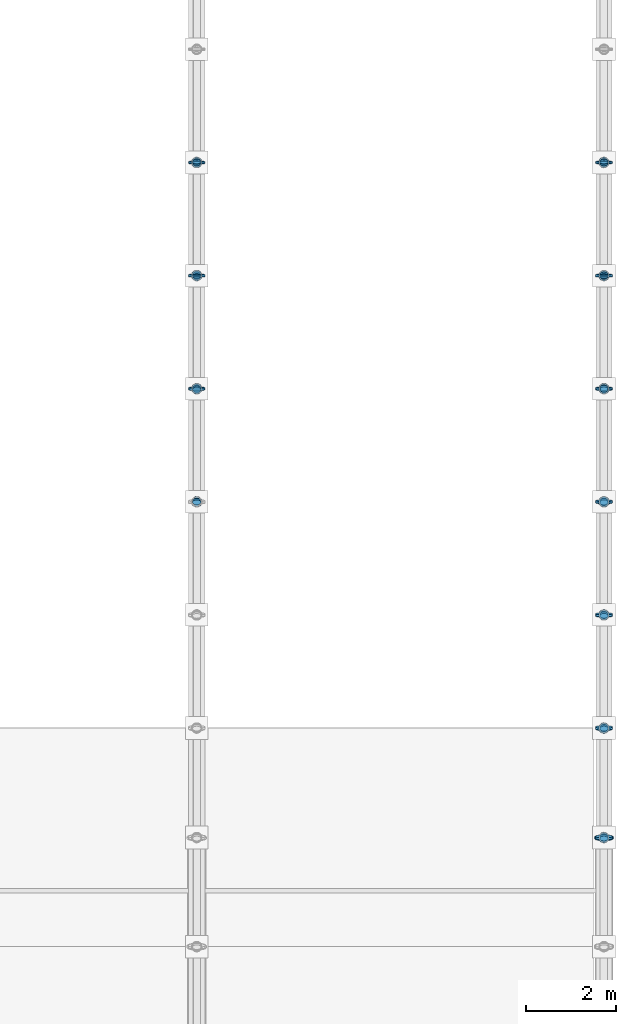
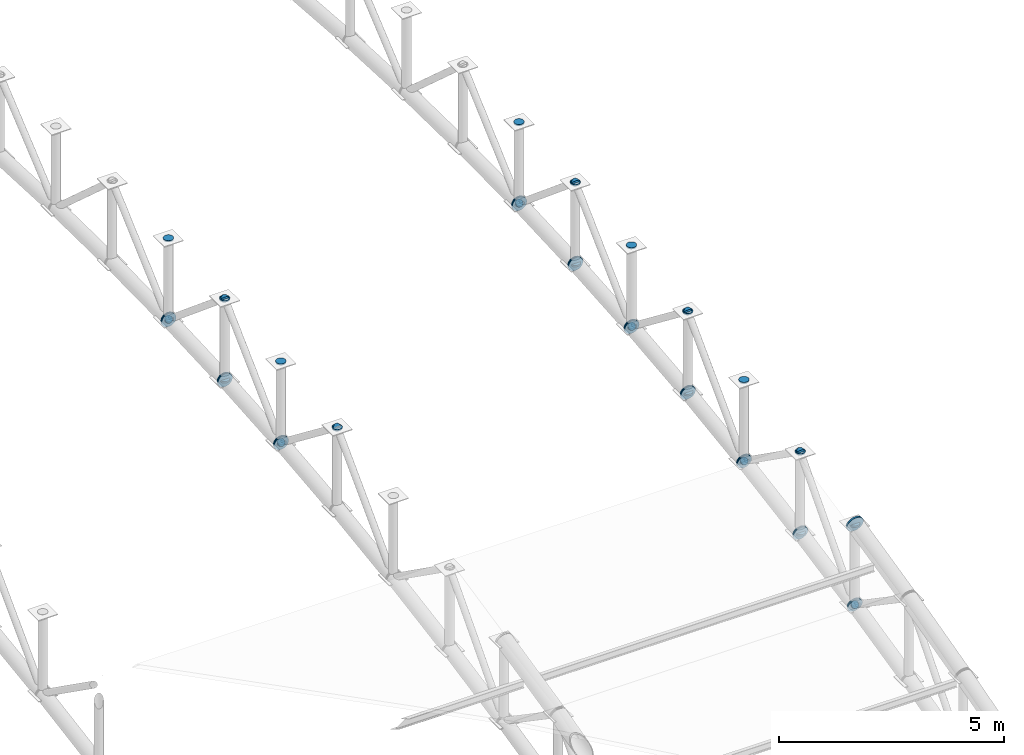
# One storey, part 154 of 195: 63 discrete accessories.
"""IFC4 building model written with IfcOpenShell, lengths in metres."""

from ifc_helpers import new_model, si_unit, direction, frame, origin, origin_2d, place, context, subcontext, project, spatial, circle, extrude, material, element, save


model = new_model("IFC4")

# Units and contexts
model_context = context("Model", 3, precision=1e-05, world=origin(), true_north=direction((0.0, 1.0)))
body_context = subcontext(model_context, "Body", "Model", "MODEL_VIEW")
ifc_project = project(units=[si_unit("LENGTHUNIT", "METRE"), si_unit("AREAUNIT", "SQUARE_METRE"), si_unit("VOLUMEUNIT", "CUBIC_METRE"), si_unit("PLANEANGLEUNIT", "RADIAN"), si_unit("MASSUNIT", "GRAM", prefix="KILO")], contexts=[model_context])

# Site, building, storey
site_placement = place(None, origin())
site = spatial("IfcSite", under=ifc_project, at=site_placement, CompositionType="ELEMENT")
building_placement = place(site_placement, origin())
building = spatial("IfcBuilding", under=site, at=building_placement, Name="Marlcrest Central Station", CompositionType="ELEMENT")
storey_placement = place(building_placement, frame((0.0, 0.0, 9.800048828125)))
storey = spatial("IfcBuildingStorey", under=building, at=storey_placement, Name="L02", CompositionType="ELEMENT", Elevation=9.800048828125)

# Discrete accessories
ifc_material = material(Name="Steel S355", Category="steel")
discrete_accessory_1_placement = place(storey_placement, frame((207.0, 58.47509765625, 4.4482421875), z_axis=(0.0, 0.994155341034, 0.107959056565), x_axis=(-1.0, 0.0, 0.0)))
element("IfcDiscreteAccessory", 1, at=discrete_accessory_1_placement, inside=storey, material=ifc_material, Name="endcap-mem-AC-02-L02-01937-e", ObjectType="END_CAP_PLATE", PredefinedType="BRACKET", context=body_context, shape_type="SweptSolid", body=[
    extrude(circle(Radius=0.185791015625, at=origin_2d()), origin(), (0.0, 0.0, 1.0), 0.0400390625),
])
discrete_accessory_2_placement = place(storey_placement, frame((207.0, 56.0, 6.3544921875), z_axis=(0.0, 0.0, 1.0), x_axis=(1.0, 0.0, 0.0)))
element("IfcDiscreteAccessory", 2, at=discrete_accessory_2_placement, inside=storey, material=ifc_material, Name="endcap-mem-AP-01-L02-01938-e", ObjectType="END_CAP_PLATE", PredefinedType="BRACKET", context=body_context, shape_type="SweptSolid", body=[
    extrude(circle(Radius=0.117431640625, at=origin_2d()), origin(), (0.0, 0.0, 1.0), 0.0400390625),
])
for number, where, z_axis, x_axis, name in (
    (3, (207.0, 55.988037109375, 6.388671875), (0.0, 0.791798282026, -0.610782678684), (-1.0, 0.0, 0.0), "endcap-mem-AD-01-L02-01939-s"),
    (4, (207.0, 58.480224609375, 4.46630859375), (0.0, 0.791798282026, -0.610782678684), (-1.0, 0.0, 0.0), "endcap-mem-AD-01-L02-01939-e"),
):
    element("IfcDiscreteAccessory", number, at=place(storey_placement, frame(where, z_axis=z_axis, x_axis=x_axis)), inside=storey, material=ifc_material, Name=name, ObjectType="END_CAP_PLATE", PredefinedType="BRACKET", context=body_context, shape_type="SweptSolid", body=[
        extrude(circle(Radius=0.092041015625, at=origin_2d()), origin(), (0.0, 0.0, 1.0), 0.0400390625),
    ])
for number, where, z_axis, x_axis, name in (
    (5, (207.0, 58.485107421875, 4.44970703125), (0.0, 0.997007334767, 0.077307014043), (-1.0, 0.0, 0.0), "endcap-mem-AC-02-L02-01941-s"),
    (6, (207.0, 60.97509765625, 4.642822265625), (0.0, 0.997007334767, 0.077307014043), (-1.0, 0.0, 0.0), "endcap-mem-AC-02-L02-01941-e"),
):
    element("IfcDiscreteAccessory", number, at=place(storey_placement, frame(where, z_axis=z_axis, x_axis=x_axis)), inside=storey, material=ifc_material, Name=name, ObjectType="END_CAP_PLATE", PredefinedType="BRACKET", context=body_context, shape_type="SweptSolid", body=[
        extrude(circle(Radius=0.185791015625, at=origin_2d()), origin(), (0.0, 0.0, 1.0), 0.0400390625),
    ])
for number, where, z_axis, x_axis, name in (
    (7, (207.0, 58.5, 4.43603515625), (0.0, 0.0, 1.0), (1.0, 0.0, 0.0), "endcap-mem-AP-01-L02-01942-s"),
    (8, (207.0, 58.5, 6.6259765625), (0.0, 0.0, 1.0), (1.0, 0.0, 0.0), "endcap-mem-AP-01-L02-01942-e"),
):
    element("IfcDiscreteAccessory", number, at=place(storey_placement, frame(where, z_axis=z_axis, x_axis=x_axis)), inside=storey, material=ifc_material, Name=name, ObjectType="END_CAP_PLATE", PredefinedType="BRACKET", context=body_context, shape_type="SweptSolid", body=[
        extrude(circle(Radius=0.117431640625, at=origin_2d()), origin(), (0.0, 0.0, 1.0), 0.0400390625),
    ])
for number, where, z_axis, x_axis, name in (
    (9, (207.0, 58.4892578125, 4.440673828125), (0.0, 0.722246537655, 0.691635698071), (-1.0, 0.0, 0.0), "endcap-mem-AD-01-L02-01943-s"),
    (10, (207.0, 60.98193359375, 6.82763671875), (0.0, 0.722246537655, 0.691635698071), (-1.0, 0.0, 0.0), "endcap-mem-AD-01-L02-01943-e"),
):
    element("IfcDiscreteAccessory", number, at=place(storey_placement, frame(where, z_axis=z_axis, x_axis=x_axis)), inside=storey, material=ifc_material, Name=name, ObjectType="END_CAP_PLATE", PredefinedType="BRACKET", context=body_context, shape_type="SweptSolid", body=[
        extrude(circle(Radius=0.092041015625, at=origin_2d()), origin(), (0.0, 0.0, 1.0), 0.0400390625),
    ])
for number, where, z_axis, x_axis, name in (
    (11, (207.0, 60.985107421875, 4.64404296875), (0.0, 0.998916819647, 0.046531574509), (-1.0, 0.0, 0.0), "endcap-mem-AC-02-L02-01945-s"),
    (12, (207.0, 63.47509765625, 4.760009765625), (0.0, 0.998916819647, 0.046531574509), (-1.0, 0.0, 0.0), "endcap-mem-AC-02-L02-01945-e"),
):
    element("IfcDiscreteAccessory", number, at=place(storey_placement, frame(where, z_axis=z_axis, x_axis=x_axis)), inside=storey, material=ifc_material, Name=name, ObjectType="END_CAP_PLATE", PredefinedType="BRACKET", context=body_context, shape_type="SweptSolid", body=[
        extrude(circle(Radius=0.185791015625, at=origin_2d()), origin(), (0.0, 0.0, 1.0), 0.0400390625),
    ])
for number, where, z_axis, x_axis, name in (
    (13, (207.0, 61.0, 4.6298828125), (0.0, 0.0, 1.0), (1.0, 0.0, 0.0), "endcap-mem-AP-01-L02-01946-s"),
    (14, (207.0, 61.0, 6.820068359375), (0.0, 0.0, 1.0), (1.0, 0.0, 0.0), "endcap-mem-AP-01-L02-01946-e"),
):
    element("IfcDiscreteAccessory", number, at=place(storey_placement, frame(where, z_axis=z_axis, x_axis=x_axis)), inside=storey, material=ifc_material, Name=name, ObjectType="END_CAP_PLATE", PredefinedType="BRACKET", context=body_context, shape_type="SweptSolid", body=[
        extrude(circle(Radius=0.117431640625, at=origin_2d()), origin(), (0.0, 0.0, 1.0), 0.0400390625),
    ])
for number, where, z_axis, x_axis, name in (
    (15, (207.0, 60.988525390625, 6.8544921875), (0.0, 0.768159787854, -0.640258182552), (-1.0, 0.0, 0.0), "endcap-mem-AD-01-L02-01947-s"),
    (16, (207.0, 63.480712890625, 4.77734375), (0.0, 0.768159787854, -0.640258182552), (-1.0, 0.0, 0.0), "endcap-mem-AD-01-L02-01947-e"),
):
    element("IfcDiscreteAccessory", number, at=place(storey_placement, frame(where, z_axis=z_axis, x_axis=x_axis)), inside=storey, material=ifc_material, Name=name, ObjectType="END_CAP_PLATE", PredefinedType="BRACKET", context=body_context, shape_type="SweptSolid", body=[
        extrude(circle(Radius=0.092041015625, at=origin_2d()), origin(), (0.0, 0.0, 1.0), 0.0400390625),
    ])
discrete_accessory_3_placement = place(storey_placement, frame((207.0, 63.485107421875, 4.760986328125), z_axis=(0.0, 0.999879472592, 0.01552547228), x_axis=(-1.0, 0.0, 0.0)))
element("IfcDiscreteAccessory", 17, at=discrete_accessory_3_placement, inside=storey, material=ifc_material, Name="endcap-mem-AC-02-L02-01949-s", ObjectType="END_CAP_PLATE", PredefinedType="BRACKET", context=body_context, shape_type="SweptSolid", body=[
    extrude(circle(Radius=0.185791015625, at=origin_2d()), origin(), (0.0, 0.0, 1.0), 0.0400390625),
])
for number, where, z_axis, x_axis, name in (
    (18, (207.0, 63.5, 4.746337890625), (0.0, 0.0, 1.0), (1.0, 0.0, 0.0), "endcap-mem-AP-01-L02-01950-s"),
    (19, (207.0, 63.5, 6.936279296875), (0.0, 0.0, 1.0), (1.0, 0.0, 0.0), "endcap-mem-AP-01-L02-01950-e"),
):
    element("IfcDiscreteAccessory", number, at=place(storey_placement, frame(where, z_axis=z_axis, x_axis=x_axis)), inside=storey, material=ifc_material, Name=name, ObjectType="END_CAP_PLATE", PredefinedType="BRACKET", context=body_context, shape_type="SweptSolid", body=[
        extrude(circle(Radius=0.117431640625, at=origin_2d()), origin(), (0.0, 0.0, 1.0), 0.0400390625),
    ])
discrete_accessory_4_placement = place(storey_placement, frame((207.0, 63.48876953125, 4.751220703125), z_axis=(0.0, 0.744955843007, 0.66711377738), x_axis=(-1.0, 0.0, 0.0)))
element("IfcDiscreteAccessory", 20, at=discrete_accessory_4_placement, inside=storey, material=ifc_material, Name="endcap-mem-AD-01-L02-01951-s", ObjectType="END_CAP_PLATE", PredefinedType="BRACKET", context=body_context, shape_type="SweptSolid", body=[
    extrude(circle(Radius=0.092041015625, at=origin_2d()), origin(), (0.0, 0.0, 1.0), 0.0400390625),
])
discrete_accessory_5_placement = place(storey_placement, frame((216.0, 48.5556640625, 5.111328125), z_axis=(0.0, 0.974329612642, 0.225126200004), x_axis=(-1.0, 0.0, 0.0)))
element("IfcDiscreteAccessory", 21, at=discrete_accessory_5_placement, inside=storey, material=ifc_material, Name="endcap-mem-AC-01-L02-02036-e", ObjectType="END_CAP_PLATE", PredefinedType="BRACKET", context=body_context, shape_type="SweptSolid", body=[
    extrude(circle(Radius=0.211181640625, at=origin_2d()), origin(), (0.0, 0.0, 1.0), 0.0400390625),
])
discrete_accessory_6_placement = place(storey_placement, frame((216.0, 48.5556640625, 2.911376953125), z_axis=(0.0, 0.974307959875, 0.225219891049), x_axis=(-1.0, 0.0, 0.0)))
element("IfcDiscreteAccessory", 22, at=discrete_accessory_6_placement, inside=storey, material=ifc_material, Name="endcap-mem-AC-02-L02-02037-e", ObjectType="END_CAP_PLATE", PredefinedType="BRACKET", context=body_context, shape_type="SweptSolid", body=[
    extrude(circle(Radius=0.185791015625, at=origin_2d()), origin(), (0.0, 0.0, 1.0), 0.0400390625),
])
discrete_accessory_7_placement = place(storey_placement, frame((216.0, 48.559326171875, 2.93115234375), z_axis=(0.0, 0.82626275624, -0.563284881432), x_axis=(-1.0, 0.0, 0.0)))
element("IfcDiscreteAccessory", 23, at=discrete_accessory_7_placement, inside=storey, material=ifc_material, Name="endcap-mem-AD-01-L02-02039-e", ObjectType="END_CAP_PLATE", PredefinedType="BRACKET", context=body_context, shape_type="SweptSolid", body=[
    extrude(circle(Radius=0.092041015625, at=origin_2d()), origin(), (0.0, 0.0, 1.0), 0.0400390625),
])
for number, where, z_axis, x_axis, name in (
    (24, (216.0, 48.5654296875, 2.9140625), (0.0, 0.980359417961, 0.197219196874), (-1.0, 0.0, 0.0), "endcap-mem-AC-02-L02-02041-s"),
    (25, (216.0, 50.9755859375, 3.39892578125), (0.0, 0.980359417961, 0.197219196874), (-1.0, 0.0, 0.0), "endcap-mem-AC-02-L02-02041-e"),
):
    element("IfcDiscreteAccessory", number, at=place(storey_placement, frame(where, z_axis=z_axis, x_axis=x_axis)), inside=storey, material=ifc_material, Name=name, ObjectType="END_CAP_PLATE", PredefinedType="BRACKET", context=body_context, shape_type="SweptSolid", body=[
        extrude(circle(Radius=0.185791015625, at=origin_2d()), origin(), (0.0, 0.0, 1.0), 0.0400390625),
    ])
for number, where, z_axis, x_axis, name in (
    (26, (216.0, 48.580078125, 2.902099609375), (0.0, 0.0, 1.0), (1.0, 0.0, 0.0), "endcap-mem-AP-01-L02-02042-s"),
    (27, (216.0, 48.580078125, 5.092041015625), (0.0, 0.0, 1.0), (1.0, 0.0, 0.0), "endcap-mem-AP-01-L02-02042-e"),
):
    element("IfcDiscreteAccessory", number, at=place(storey_placement, frame(where, z_axis=z_axis, x_axis=x_axis)), inside=storey, material=ifc_material, Name=name, ObjectType="END_CAP_PLATE", PredefinedType="BRACKET", context=body_context, shape_type="SweptSolid", body=[
        extrude(circle(Radius=0.117431640625, at=origin_2d()), origin(), (0.0, 0.0, 1.0), 0.0400390625),
    ])
for number, where, z_axis, x_axis, name in (
    (28, (216.0, 48.570068359375, 2.90576171875), (0.0, 0.669244457479, 0.743042297675), (-1.0, 0.0, 0.0), "endcap-mem-AD-01-L02-02043-s"),
    (29, (216.0, 50.983154296875, 5.585205078125), (0.0, 0.669244457479, 0.743042297675), (-1.0, 0.0, 0.0), "endcap-mem-AD-01-L02-02043-e"),
):
    element("IfcDiscreteAccessory", number, at=place(storey_placement, frame(where, z_axis=z_axis, x_axis=x_axis)), inside=storey, material=ifc_material, Name=name, ObjectType="END_CAP_PLATE", PredefinedType="BRACKET", context=body_context, shape_type="SweptSolid", body=[
        extrude(circle(Radius=0.092041015625, at=origin_2d()), origin(), (0.0, 0.0, 1.0), 0.0400390625),
    ])
for number, where, z_axis, x_axis, name in (
    (30, (216.0, 50.985107421875, 3.4013671875), (0.0, 0.98574109921, 0.168269086076), (-1.0, 0.0, 0.0), "endcap-mem-AC-02-L02-02045-s"),
    (31, (216.0, 53.475341796875, 3.826416015625), (0.0, 0.98574109921, 0.168269086076), (-1.0, 0.0, 0.0), "endcap-mem-AC-02-L02-02045-e"),
):
    element("IfcDiscreteAccessory", number, at=place(storey_placement, frame(where, z_axis=z_axis, x_axis=x_axis)), inside=storey, material=ifc_material, Name=name, ObjectType="END_CAP_PLATE", PredefinedType="BRACKET", context=body_context, shape_type="SweptSolid", body=[
        extrude(circle(Radius=0.185791015625, at=origin_2d()), origin(), (0.0, 0.0, 1.0), 0.0400390625),
    ])
for number, where, z_axis, x_axis, name in (
    (32, (216.0, 51.0, 3.388916015625), (0.0, 0.0, 1.0), (1.0, 0.0, 0.0), "endcap-mem-AP-01-L02-02046-s"),
    (33, (216.0, 51.0, 5.578857421875), (0.0, 0.0, 1.0), (1.0, 0.0, 0.0), "endcap-mem-AP-01-L02-02046-e"),
):
    element("IfcDiscreteAccessory", number, at=place(storey_placement, frame(where, z_axis=z_axis, x_axis=x_axis)), inside=storey, material=ifc_material, Name=name, ObjectType="END_CAP_PLATE", PredefinedType="BRACKET", context=body_context, shape_type="SweptSolid", body=[
        extrude(circle(Radius=0.117431640625, at=origin_2d()), origin(), (0.0, 0.0, 1.0), 0.0400390625),
    ])
for number, where, z_axis, x_axis, name in (
    (34, (216.0, 50.98779296875, 5.612548828125), (0.0, 0.815661132754, -0.57852996164), (-1.0, 0.0, 0.0), "endcap-mem-AD-01-L02-02047-s"),
    (35, (216.0, 53.4794921875, 3.844970703125), (0.0, 0.815661132754, -0.57852996164), (-1.0, 0.0, 0.0), "endcap-mem-AD-01-L02-02047-e"),
):
    element("IfcDiscreteAccessory", number, at=place(storey_placement, frame(where, z_axis=z_axis, x_axis=x_axis)), inside=storey, material=ifc_material, Name=name, ObjectType="END_CAP_PLATE", PredefinedType="BRACKET", context=body_context, shape_type="SweptSolid", body=[
        extrude(circle(Radius=0.092041015625, at=origin_2d()), origin(), (0.0, 0.0, 1.0), 0.0400390625),
    ])
for number, where, z_axis, x_axis, name in (
    (36, (216.0, 53.485107421875, 3.82861328125), (0.0, 0.990402740232, 0.138211476152), (-1.0, 0.0, 0.0), "endcap-mem-AC-02-L02-02049-s"),
    (37, (216.0, 55.975341796875, 4.176025390625), (0.0, 0.990402740232, 0.138211476152), (-1.0, 0.0, 0.0), "endcap-mem-AC-02-L02-02049-e"),
):
    element("IfcDiscreteAccessory", number, at=place(storey_placement, frame(where, z_axis=z_axis, x_axis=x_axis)), inside=storey, material=ifc_material, Name=name, ObjectType="END_CAP_PLATE", PredefinedType="BRACKET", context=body_context, shape_type="SweptSolid", body=[
        extrude(circle(Radius=0.185791015625, at=origin_2d()), origin(), (0.0, 0.0, 1.0), 0.0400390625),
    ])
for number, where, z_axis, x_axis, name in (
    (38, (216.0, 53.5, 3.815673828125), (0.0, 0.0, 1.0), (1.0, 0.0, 0.0), "endcap-mem-AP-01-L02-02050-s"),
    (39, (216.0, 53.5, 6.005615234375), (0.0, 0.0, 1.0), (1.0, 0.0, 0.0), "endcap-mem-AP-01-L02-02050-e"),
):
    element("IfcDiscreteAccessory", number, at=place(storey_placement, frame(where, z_axis=z_axis, x_axis=x_axis)), inside=storey, material=ifc_material, Name=name, ObjectType="END_CAP_PLATE", PredefinedType="BRACKET", context=body_context, shape_type="SweptSolid", body=[
        extrude(circle(Radius=0.117431640625, at=origin_2d()), origin(), (0.0, 0.0, 1.0), 0.0400390625),
    ])
for number, where, z_axis, x_axis, name in (
    (40, (216.0, 53.489501953125, 3.81982421875), (0.0, 0.70023547796, 0.713911952139), (-1.0, 0.0, 0.0), "endcap-mem-AD-01-L02-02051-s"),
    (41, (216.0, 55.982421875, 6.361572265625), (0.0, 0.70023547796, 0.713911952139), (-1.0, 0.0, 0.0), "endcap-mem-AD-01-L02-02051-e"),
):
    element("IfcDiscreteAccessory", number, at=place(storey_placement, frame(where, z_axis=z_axis, x_axis=x_axis)), inside=storey, material=ifc_material, Name=name, ObjectType="END_CAP_PLATE", PredefinedType="BRACKET", context=body_context, shape_type="SweptSolid", body=[
        extrude(circle(Radius=0.092041015625, at=origin_2d()), origin(), (0.0, 0.0, 1.0), 0.0400390625),
    ])
for number, where, z_axis, x_axis, name in (
    (42, (216.0, 55.985107421875, 4.177734375), (0.0, 0.994155341034, 0.107959056565), (-1.0, 0.0, 0.0), "endcap-mem-AC-02-L02-02053-s"),
    (43, (216.0, 58.47509765625, 4.4482421875), (0.0, 0.994155341034, 0.107959056565), (-1.0, 0.0, 0.0), "endcap-mem-AC-02-L02-02053-e"),
):
    element("IfcDiscreteAccessory", number, at=place(storey_placement, frame(where, z_axis=z_axis, x_axis=x_axis)), inside=storey, material=ifc_material, Name=name, ObjectType="END_CAP_PLATE", PredefinedType="BRACKET", context=body_context, shape_type="SweptSolid", body=[
        extrude(circle(Radius=0.185791015625, at=origin_2d()), origin(), (0.0, 0.0, 1.0), 0.0400390625),
    ])
for number, where, z_axis, x_axis, name in (
    (44, (216.0, 56.0, 4.16455078125), (0.0, 0.0, 1.0), (1.0, 0.0, 0.0), "endcap-mem-AP-01-L02-02054-s"),
    (45, (216.0, 56.0, 6.3544921875), (0.0, 0.0, 1.0), (1.0, 0.0, 0.0), "endcap-mem-AP-01-L02-02054-e"),
):
    element("IfcDiscreteAccessory", number, at=place(storey_placement, frame(where, z_axis=z_axis, x_axis=x_axis)), inside=storey, material=ifc_material, Name=name, ObjectType="END_CAP_PLATE", PredefinedType="BRACKET", context=body_context, shape_type="SweptSolid", body=[
        extrude(circle(Radius=0.117431640625, at=origin_2d()), origin(), (0.0, 0.0, 1.0), 0.0400390625),
    ])
for number, where, z_axis, x_axis, name in (
    (46, (216.0, 55.988037109375, 6.388671875), (0.0, 0.791798282026, -0.610782678684), (-1.0, 0.0, 0.0), "endcap-mem-AD-01-L02-02055-s"),
    (47, (216.0, 58.480224609375, 4.46630859375), (0.0, 0.791798282026, -0.610782678684), (-1.0, 0.0, 0.0), "endcap-mem-AD-01-L02-02055-e"),
):
    element("IfcDiscreteAccessory", number, at=place(storey_placement, frame(where, z_axis=z_axis, x_axis=x_axis)), inside=storey, material=ifc_material, Name=name, ObjectType="END_CAP_PLATE", PredefinedType="BRACKET", context=body_context, shape_type="SweptSolid", body=[
        extrude(circle(Radius=0.092041015625, at=origin_2d()), origin(), (0.0, 0.0, 1.0), 0.0400390625),
    ])
for number, where, z_axis, x_axis, name in (
    (48, (216.0, 58.485107421875, 4.44970703125), (0.0, 0.997007334767, 0.077307014043), (-1.0, 0.0, 0.0), "endcap-mem-AC-02-L02-02057-s"),
    (49, (216.0, 60.97509765625, 4.642822265625), (0.0, 0.997007334767, 0.077307014043), (-1.0, 0.0, 0.0), "endcap-mem-AC-02-L02-02057-e"),
):
    element("IfcDiscreteAccessory", number, at=place(storey_placement, frame(where, z_axis=z_axis, x_axis=x_axis)), inside=storey, material=ifc_material, Name=name, ObjectType="END_CAP_PLATE", PredefinedType="BRACKET", context=body_context, shape_type="SweptSolid", body=[
        extrude(circle(Radius=0.185791015625, at=origin_2d()), origin(), (0.0, 0.0, 1.0), 0.0400390625),
    ])
for number, where, z_axis, x_axis, name in (
    (50, (216.0, 58.5, 4.43603515625), (0.0, 0.0, 1.0), (1.0, 0.0, 0.0), "endcap-mem-AP-01-L02-02058-s"),
    (51, (216.0, 58.5, 6.6259765625), (0.0, 0.0, 1.0), (1.0, 0.0, 0.0), "endcap-mem-AP-01-L02-02058-e"),
):
    element("IfcDiscreteAccessory", number, at=place(storey_placement, frame(where, z_axis=z_axis, x_axis=x_axis)), inside=storey, material=ifc_material, Name=name, ObjectType="END_CAP_PLATE", PredefinedType="BRACKET", context=body_context, shape_type="SweptSolid", body=[
        extrude(circle(Radius=0.117431640625, at=origin_2d()), origin(), (0.0, 0.0, 1.0), 0.0400390625),
    ])
for number, where, z_axis, x_axis, name in (
    (52, (216.0, 58.4892578125, 4.440673828125), (0.0, 0.722246537655, 0.691635698071), (-1.0, 0.0, 0.0), "endcap-mem-AD-01-L02-02059-s"),
    (53, (216.0, 60.98193359375, 6.82763671875), (0.0, 0.722246537655, 0.691635698071), (-1.0, 0.0, 0.0), "endcap-mem-AD-01-L02-02059-e"),
):
    element("IfcDiscreteAccessory", number, at=place(storey_placement, frame(where, z_axis=z_axis, x_axis=x_axis)), inside=storey, material=ifc_material, Name=name, ObjectType="END_CAP_PLATE", PredefinedType="BRACKET", context=body_context, shape_type="SweptSolid", body=[
        extrude(circle(Radius=0.092041015625, at=origin_2d()), origin(), (0.0, 0.0, 1.0), 0.0400390625),
    ])
for number, where, z_axis, x_axis, name in (
    (54, (216.0, 60.985107421875, 4.64404296875), (0.0, 0.998916819647, 0.046531574509), (-1.0, 0.0, 0.0), "endcap-mem-AC-02-L02-02061-s"),
    (55, (216.0, 63.47509765625, 4.760009765625), (0.0, 0.998916819647, 0.046531574509), (-1.0, 0.0, 0.0), "endcap-mem-AC-02-L02-02061-e"),
):
    element("IfcDiscreteAccessory", number, at=place(storey_placement, frame(where, z_axis=z_axis, x_axis=x_axis)), inside=storey, material=ifc_material, Name=name, ObjectType="END_CAP_PLATE", PredefinedType="BRACKET", context=body_context, shape_type="SweptSolid", body=[
        extrude(circle(Radius=0.185791015625, at=origin_2d()), origin(), (0.0, 0.0, 1.0), 0.0400390625),
    ])
for number, where, z_axis, x_axis, name in (
    (56, (216.0, 61.0, 4.6298828125), (0.0, 0.0, 1.0), (1.0, 0.0, 0.0), "endcap-mem-AP-01-L02-02062-s"),
    (57, (216.0, 61.0, 6.820068359375), (0.0, 0.0, 1.0), (1.0, 0.0, 0.0), "endcap-mem-AP-01-L02-02062-e"),
):
    element("IfcDiscreteAccessory", number, at=place(storey_placement, frame(where, z_axis=z_axis, x_axis=x_axis)), inside=storey, material=ifc_material, Name=name, ObjectType="END_CAP_PLATE", PredefinedType="BRACKET", context=body_context, shape_type="SweptSolid", body=[
        extrude(circle(Radius=0.117431640625, at=origin_2d()), origin(), (0.0, 0.0, 1.0), 0.0400390625),
    ])
for number, where, z_axis, x_axis, name in (
    (58, (216.0, 60.988525390625, 6.8544921875), (0.0, 0.768159787854, -0.640258182552), (-1.0, 0.0, 0.0), "endcap-mem-AD-01-L02-02063-s"),
    (59, (216.0, 63.480712890625, 4.77734375), (0.0, 0.768159787854, -0.640258182552), (-1.0, 0.0, 0.0), "endcap-mem-AD-01-L02-02063-e"),
):
    element("IfcDiscreteAccessory", number, at=place(storey_placement, frame(where, z_axis=z_axis, x_axis=x_axis)), inside=storey, material=ifc_material, Name=name, ObjectType="END_CAP_PLATE", PredefinedType="BRACKET", context=body_context, shape_type="SweptSolid", body=[
        extrude(circle(Radius=0.092041015625, at=origin_2d()), origin(), (0.0, 0.0, 1.0), 0.0400390625),
    ])
discrete_accessory_8_placement = place(storey_placement, frame((216.0, 63.485107421875, 4.760986328125), z_axis=(0.0, 0.999879472592, 0.01552547228), x_axis=(-1.0, 0.0, 0.0)))
element("IfcDiscreteAccessory", 60, at=discrete_accessory_8_placement, inside=storey, material=ifc_material, Name="endcap-mem-AC-02-L02-02065-s", ObjectType="END_CAP_PLATE", PredefinedType="BRACKET", context=body_context, shape_type="SweptSolid", body=[
    extrude(circle(Radius=0.185791015625, at=origin_2d()), origin(), (0.0, 0.0, 1.0), 0.0400390625),
])
for number, where, z_axis, x_axis, name in (
    (61, (216.0, 63.5, 4.746337890625), (0.0, 0.0, 1.0), (1.0, 0.0, 0.0), "endcap-mem-AP-01-L02-02066-s"),
    (62, (216.0, 63.5, 6.936279296875), (0.0, 0.0, 1.0), (1.0, 0.0, 0.0), "endcap-mem-AP-01-L02-02066-e"),
):
    element("IfcDiscreteAccessory", number, at=place(storey_placement, frame(where, z_axis=z_axis, x_axis=x_axis)), inside=storey, material=ifc_material, Name=name, ObjectType="END_CAP_PLATE", PredefinedType="BRACKET", context=body_context, shape_type="SweptSolid", body=[
        extrude(circle(Radius=0.117431640625, at=origin_2d()), origin(), (0.0, 0.0, 1.0), 0.0400390625),
    ])
discrete_accessory_9_placement = place(storey_placement, frame((216.0, 63.48876953125, 4.751220703125), z_axis=(0.0, 0.744955843007, 0.66711377738), x_axis=(-1.0, 0.0, 0.0)))
element("IfcDiscreteAccessory", 63, at=discrete_accessory_9_placement, inside=storey, material=ifc_material, Name="endcap-mem-AD-01-L02-02067-s", ObjectType="END_CAP_PLATE", PredefinedType="BRACKET", context=body_context, shape_type="SweptSolid", body=[
    extrude(circle(Radius=0.092041015625, at=origin_2d()), origin(), (0.0, 0.0, 1.0), 0.0400390625),
])

save(model, "model.ifc")
